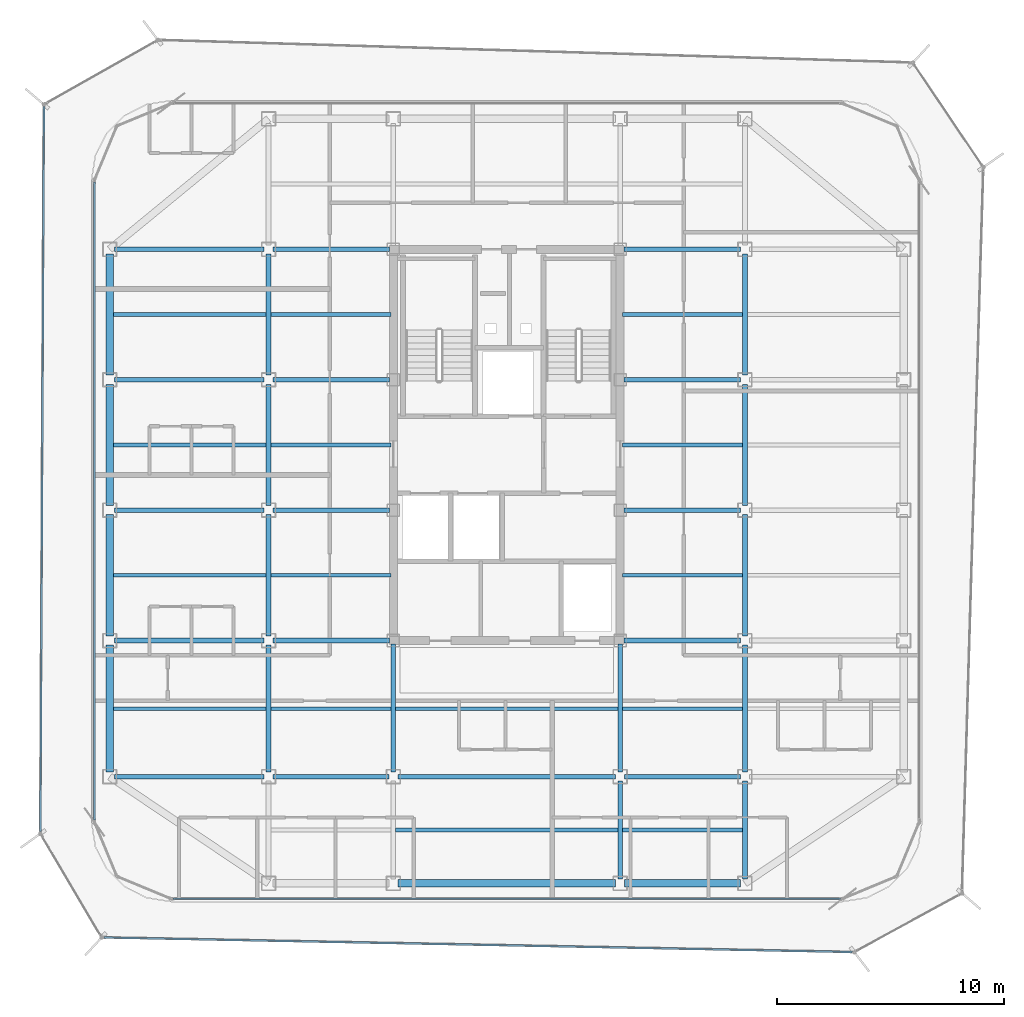
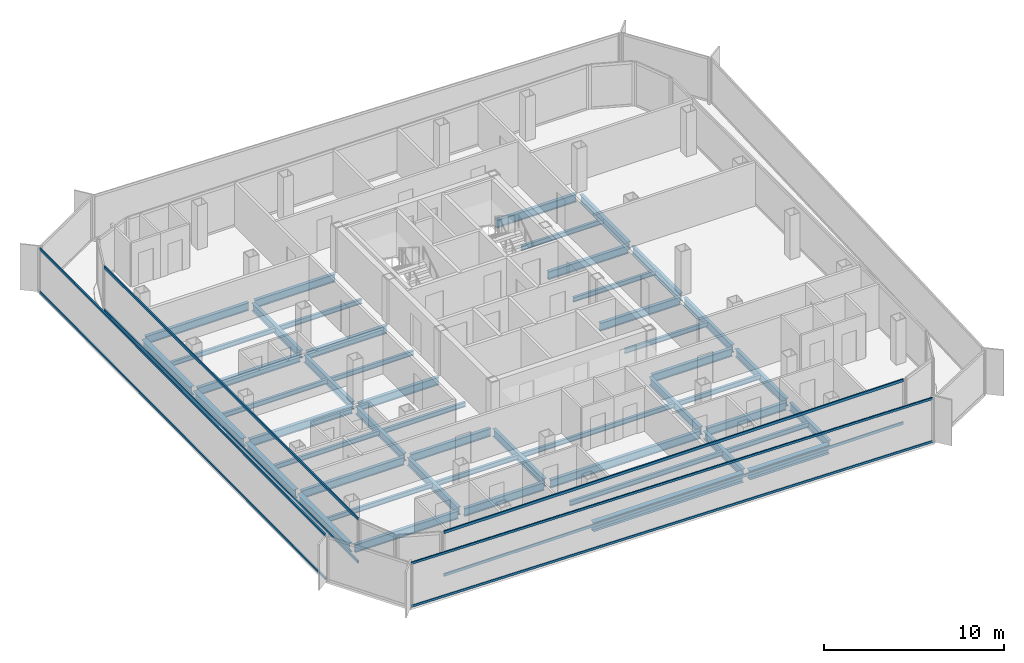
# One storey, part 3 of 15: 49 beams, 8 members, 4 elements without a shape of their own.
"""IFC4 building model written with IfcOpenShell, lengths in metres."""

from ifc_helpers import new_model, si_unit, direction, frame, origin, origin_2d, place, context, subcontext, project, spatial, hollow_rectangle, i_section, extrude, source, transform, mapped, material, layer, layer_set, material_profile, profile_set, type_object, element, aggregate, save


model = new_model("IFC4")

# Units and contexts
model_context = context("Model", 3, precision=1e-05, world=origin(), true_north=direction((0.0, 1.0)))
body_context = subcontext(model_context, "Body", "Model", "MODEL_VIEW")
ifc_project = project(units=[si_unit("LENGTHUNIT", "METRE"), si_unit("AREAUNIT", "SQUARE_METRE"), si_unit("VOLUMEUNIT", "CUBIC_METRE"), si_unit("PLANEANGLEUNIT", "RADIAN"), si_unit("MASSUNIT", "GRAM", prefix="KILO")], contexts=[model_context])

# Site, building, storey
site_placement = place(None, origin())
site = spatial("IfcSite", under=ifc_project, at=site_placement, CompositionType="ELEMENT")
building_placement = place(site_placement, origin())
building = spatial("IfcBuilding", under=site, at=building_placement, Name="Kolveth Station Tower", CompositionType="ELEMENT")
storey_placement = place(building_placement, frame((0.0, 0.0, 258.5)))
storey = spatial("IfcBuildingStorey", under=building, at=storey_placement, Name="L74", CompositionType="ELEMENT", Elevation=258.5)

# Beams
ifc_material_1 = material(Name="Steel S355", Category="steel")
ifc_material_profile_1 = material_profile(ifc_material_1, i_section(OverallWidth=0.323974609375, OverallDepth=0.611083984375, WebThickness=0.0126953125, FlangeThickness=0.01904296875, at=origin_2d()), Name="W610x155")
ifc_profile_set_1 = profile_set([ifc_material_profile_1], Name="Steel S355")
beam_type_1 = type_object("IfcBeamType", Name="Beam_SP2", PredefinedType="SPANDREL", material=ifc_profile_set_1)
shared_shape_1 = source(origin(), body_context, "Body", "SweptSolid", [
    extrude(i_section(OverallWidth=0.323974609375, OverallDepth=0.611083984375, WebThickness=0.0126953125, FlangeThickness=0.01904296875, at=origin_2d()), origin(), (0.0, 0.0, 1.0), 5.10009765625),
])
beam_1_placement = place(storey_placement, frame((28.699951171875, 0.800048828125, -0.525390625), z_axis=(1.0, 0.0, 0.0), x_axis=(0.0, 1.0, 0.0)))
element("IfcBeam", 1, at=beam_1_placement, inside=storey, type_object=beam_type_1, Name="L74 Perimeter Spandrel BM-L74-PS-3", PredefinedType="SPANDREL", context=body_context, shape_type="MappedRepresentation", body=[
    mapped(shared_shape_1, transform((0.0, 0.0, 0.0), x_axis=(1.0, 0.0, 0.0), y_axis=(0.0, 1.0, 0.0), z_axis=(0.0, 0.0, 1.0), scale=1.0)),
])
shared_shape_2 = source(origin(), body_context, "Body", "SweptSolid", [
    extrude(i_section(OverallWidth=0.323974609375, OverallDepth=0.611083984375, WebThickness=0.0126953125, FlangeThickness=0.01904296875, at=origin_2d()), origin(), (0.0, 0.0, 1.0), 9.60009765625),
])
beam_2_placement = place(storey_placement, frame((18.699951171875, 0.800048828125, -0.525390625), z_axis=(1.0, 0.0, 0.0), x_axis=(0.0, 1.0, 0.0)))
element("IfcBeam", 2, at=beam_2_placement, inside=storey, type_object=beam_type_1, Name="L74 Perimeter Spandrel BM-L74-PS-2", PredefinedType="SPANDREL", context=body_context, shape_type="MappedRepresentation", body=[
    mapped(shared_shape_2, transform((0.0, 0.0, 0.0), x_axis=(1.0, 0.0, 0.0), y_axis=(0.0, 1.0, 0.0), z_axis=(0.0, 0.0, 1.0), scale=1.0)),
])
shared_shape_3 = source(origin(), body_context, "Body", "SweptSolid", [
    extrude(i_section(OverallWidth=0.323974609375, OverallDepth=0.611083984375, WebThickness=0.0126953125, FlangeThickness=0.01904296875, at=origin_2d()), origin(), (0.0, 0.0, 1.0), 5.60009765625),
])
beam_3_placement = place(storey_placement, frame((6.0, 5.699951171875, -0.525390625), z_axis=(0.0, 1.0, 0.0), x_axis=(-1.0, 0.0, 0.0)))
element("IfcBeam", 3, at=beam_3_placement, inside=storey, type_object=beam_type_1, Name="L74 Perimeter Spandrel BM-L74-PW-1", PredefinedType="SPANDREL", context=body_context, shape_type="MappedRepresentation", body=[
    mapped(shared_shape_3, transform((0.0, 0.0, 0.0), x_axis=(1.0, 0.0, 0.0), y_axis=(0.0, 1.0, 0.0), z_axis=(0.0, 0.0, 1.0), scale=1.0)),
])
shared_shape_4 = source(origin(), body_context, "Body", "SweptSolid", [
    extrude(i_section(OverallWidth=0.323974609375, OverallDepth=0.611083984375, WebThickness=0.0126953125, FlangeThickness=0.01904296875, at=origin_2d()), origin(), (0.0, 0.0, 1.0), 5.35009765625),
])
for number, where, z_axis, x_axis, name in (
    (4, (6.0, 11.699951171875, -0.525390625), (0.0, 1.0, 0.0), (-1.0, 0.0, 0.0), "L74 Perimeter Spandrel BM-L74-PW-2"),
    (5, (6.0, 17.449951171875, -0.525390625), (0.0, 1.0, 0.0), (-1.0, 0.0, 0.0), "L74 Perimeter Spandrel BM-L74-PW-3"),
    (6, (6.0, 23.199951171875, -0.525390625), (0.0, 1.0, 0.0), (-1.0, 0.0, 0.0), "L74 Perimeter Spandrel BM-L74-PW-4"),
):
    element("IfcBeam", number, at=place(storey_placement, frame(where, z_axis=z_axis, x_axis=x_axis)), inside=storey, type_object=beam_type_1, Name=name, PredefinedType="SPANDREL", context=body_context, shape_type="MappedRepresentation", body=[
        mapped(shared_shape_4, transform((0.0, 0.0, 0.0), x_axis=(1.0, 0.0, 0.0), y_axis=(0.0, 1.0, 0.0), z_axis=(0.0, 0.0, 1.0), scale=1.0)),
    ])
ifc_material_profile_2 = material_profile(ifc_material_1, i_section(OverallWidth=0.2099609375, OverallDepth=0.537109375, WebThickness=0.010986328125, FlangeThickness=0.017333984375, at=origin_2d()), Name="W530x101")
ifc_profile_set_2 = profile_set([ifc_material_profile_2], Name="Steel S355")
beam_type_2 = type_object("IfcBeamType", Name="Beam_B6", PredefinedType="BEAM", material=ifc_profile_set_2)
shared_shape_5 = source(origin(), body_context, "Body", "SweptSolid", [
    extrude(i_section(OverallWidth=0.2099609375, OverallDepth=0.537109375, WebThickness=0.010986328125, FlangeThickness=0.017333984375, at=origin_2d()), origin(), (0.0, 0.0, 1.0), 6.60009765625),
])
for number, where, z_axis, x_axis, name in (
    (7, (6.199951171875, 5.5, -0.488525390625), (1.0, 0.0, 0.0), (0.0, 1.0, 0.0), "L74 Primary Girder BM-L74-GY55-1"),
    (8, (6.199951171875, 11.5, -0.488525390625), (1.0, 0.0, 0.0), (0.0, 1.0, 0.0), "L74 Primary Girder BM-L74-GY115-1"),
    (9, (6.199951171875, 17.25, -0.488525390625), (1.0, 0.0, 0.0), (0.0, 1.0, 0.0), "L74 Primary Girder BM-L74-GY172-1"),
    (10, (6.199951171875, 23.0, -0.488525390625), (1.0, 0.0, 0.0), (0.0, 1.0, 0.0), "L74 Primary Girder BM-L74-GY230-1"),
    (11, (6.199951171875, 28.75, -0.488525390625), (1.0, 0.0, 0.0), (0.0, 1.0, 0.0), "L74 Primary Girder BM-L74-GY287-1"),
):
    element("IfcBeam", number, at=place(storey_placement, frame(where, z_axis=z_axis, x_axis=x_axis)), inside=storey, type_object=beam_type_2, Name=name, PredefinedType="BEAM", context=body_context, shape_type="MappedRepresentation", body=[
        mapped(shared_shape_5, transform((0.0, 0.0, 0.0), x_axis=(1.0, 0.0, 0.0), y_axis=(0.0, 1.0, 0.0), z_axis=(0.0, 0.0, 1.0), scale=1.0)),
    ])
shared_shape_6 = source(origin(), body_context, "Body", "SweptSolid", [
    extrude(i_section(OverallWidth=0.2099609375, OverallDepth=0.537109375, WebThickness=0.010986328125, FlangeThickness=0.017333984375, at=origin_2d()), origin(), (0.0, 0.0, 1.0), 5.10009765625),
])
for number, where, z_axis, x_axis, name in (
    (12, (13.199951171875, 5.5, -0.488525390625), (1.0, 0.0, 0.0), (0.0, 1.0, 0.0), "L74 Primary Girder BM-L74-GY55-2"),
    (13, (28.699951171875, 5.5, -0.488525390625), (1.0, 0.0, 0.0), (0.0, 1.0, 0.0), "L74 Primary Girder BM-L74-GY55-4"),
):
    element("IfcBeam", number, at=place(storey_placement, frame(where, z_axis=z_axis, x_axis=x_axis)), inside=storey, type_object=beam_type_2, Name=name, PredefinedType="BEAM", context=body_context, shape_type="MappedRepresentation", body=[
        mapped(shared_shape_6, transform((0.0, 0.0, 0.0), x_axis=(1.0, 0.0, 0.0), y_axis=(0.0, 1.0, 0.0), z_axis=(0.0, 0.0, 1.0), scale=1.0)),
    ])
shared_shape_7 = source(origin(), body_context, "Body", "SweptSolid", [
    extrude(i_section(OverallWidth=0.2099609375, OverallDepth=0.537109375, WebThickness=0.010986328125, FlangeThickness=0.017333984375, at=origin_2d()), origin(), (0.0, 0.0, 1.0), 9.60009765625),
])
beam_4_placement = place(storey_placement, frame((18.699951171875, 5.5, -0.488525390625), z_axis=(1.0, 0.0, 0.0), x_axis=(0.0, 1.0, 0.0)))
element("IfcBeam", 14, at=beam_4_placement, inside=storey, type_object=beam_type_2, Name="L74 Primary Girder BM-L74-GY55-3", PredefinedType="BEAM", context=body_context, shape_type="MappedRepresentation", body=[
    mapped(shared_shape_7, transform((0.0, 0.0, 0.0), x_axis=(1.0, 0.0, 0.0), y_axis=(0.0, 1.0, 0.0), z_axis=(0.0, 0.0, 1.0), scale=1.0)),
])
shared_shape_8 = source(origin(), body_context, "Body", "SweptSolid", [
    extrude(i_section(OverallWidth=0.2099609375, OverallDepth=0.537109375, WebThickness=0.010986328125, FlangeThickness=0.017333984375, at=origin_2d()), origin(), (0.0, 0.0, 1.0), 5.14013671875),
])
for number, where, z_axis, x_axis, name in (
    (15, (13.199951171875, 11.5, -0.488525390625), (1.0, 0.0, 0.0), (0.0, 1.0, 0.0), "L74 Primary Girder BM-L74-GY115-2"),
    (16, (28.659912109375, 11.5, -0.488525390625), (1.0, 0.0, 0.0), (0.0, 1.0, 0.0), "L74 Primary Girder BM-L74-GY115-4"),
    (17, (13.199951171875, 17.25, -0.488525390625), (1.0, 0.0, 0.0), (0.0, 1.0, 0.0), "L74 Primary Girder BM-L74-GY172-2"),
    (18, (28.659912109375, 17.25, -0.488525390625), (1.0, 0.0, 0.0), (0.0, 1.0, 0.0), "L74 Primary Girder BM-L74-GY172-4"),
    (19, (13.199951171875, 23.0, -0.488525390625), (1.0, 0.0, 0.0), (0.0, 1.0, 0.0), "L74 Primary Girder BM-L74-GY230-2"),
    (20, (28.659912109375, 23.0, -0.488525390625), (1.0, 0.0, 0.0), (0.0, 1.0, 0.0), "L74 Primary Girder BM-L74-GY230-4"),
    (21, (13.199951171875, 28.75, -0.488525390625), (1.0, 0.0, 0.0), (0.0, 1.0, 0.0), "L74 Primary Girder BM-L74-GY287-2"),
    (22, (28.659912109375, 28.75, -0.488525390625), (1.0, 0.0, 0.0), (0.0, 1.0, 0.0), "L74 Primary Girder BM-L74-GY287-4"),
):
    element("IfcBeam", number, at=place(storey_placement, frame(where, z_axis=z_axis, x_axis=x_axis)), inside=storey, type_object=beam_type_2, Name=name, PredefinedType="BEAM", context=body_context, shape_type="MappedRepresentation", body=[
        mapped(shared_shape_8, transform((0.0, 0.0, 0.0), x_axis=(1.0, 0.0, 0.0), y_axis=(0.0, 1.0, 0.0), z_axis=(0.0, 0.0, 1.0), scale=1.0)),
    ])
shared_shape_9 = source(origin(), body_context, "Body", "SweptSolid", [
    extrude(i_section(OverallWidth=0.2099609375, OverallDepth=0.537109375, WebThickness=0.010986328125, FlangeThickness=0.017333984375, at=origin_2d()), origin(), (0.0, 0.0, 1.0), 4.300048828125),
])
for number, where, z_axis, x_axis, name in (
    (23, (28.5, 1.0, -0.488525390625), (0.0, 1.0, 0.0), (-1.0, 0.0, 0.0), "L74 Primary Girder BM-L74-GX285-1"),
    (24, (34.0, 1.0, -0.488525390625), (0.0, 1.0, 0.0), (-1.0, 0.0, 0.0), "L74 Primary Girder BM-L74-GX340-1"),
):
    element("IfcBeam", number, at=place(storey_placement, frame(where, z_axis=z_axis, x_axis=x_axis)), inside=storey, type_object=beam_type_2, Name=name, PredefinedType="BEAM", context=body_context, shape_type="MappedRepresentation", body=[
        mapped(shared_shape_9, transform((0.0, 0.0, 0.0), x_axis=(1.0, 0.0, 0.0), y_axis=(0.0, 1.0, 0.0), z_axis=(0.0, 0.0, 1.0), scale=1.0)),
    ])
shared_shape_10 = source(origin(), body_context, "Body", "SweptSolid", [
    extrude(i_section(OverallWidth=0.2099609375, OverallDepth=0.537109375, WebThickness=0.010986328125, FlangeThickness=0.017333984375, at=origin_2d()), origin(), (0.0, 0.0, 1.0), 5.60009765625),
])
for number, where, z_axis, x_axis, name in (
    (25, (13.0, 5.699951171875, -0.488525390625), (0.0, 1.0, 0.0), (-1.0, 0.0, 0.0), "L74 Primary Girder BM-L74-GX130-2"),
    (26, (34.0, 5.699951171875, -0.488525390625), (0.0, 1.0, 0.0), (-1.0, 0.0, 0.0), "L74 Primary Girder BM-L74-GX340-2"),
):
    element("IfcBeam", number, at=place(storey_placement, frame(where, z_axis=z_axis, x_axis=x_axis)), inside=storey, type_object=beam_type_2, Name=name, PredefinedType="BEAM", context=body_context, shape_type="MappedRepresentation", body=[
        mapped(shared_shape_10, transform((0.0, 0.0, 0.0), x_axis=(1.0, 0.0, 0.0), y_axis=(0.0, 1.0, 0.0), z_axis=(0.0, 0.0, 1.0), scale=1.0)),
    ])
shared_shape_11 = source(origin(), body_context, "Body", "SweptSolid", [
    extrude(i_section(OverallWidth=0.2099609375, OverallDepth=0.537109375, WebThickness=0.010986328125, FlangeThickness=0.017333984375, at=origin_2d()), origin(), (0.0, 0.0, 1.0), 5.35009765625),
])
for number, where, z_axis, x_axis, name in (
    (27, (13.0, 11.699951171875, -0.488525390625), (0.0, 1.0, 0.0), (-1.0, 0.0, 0.0), "L74 Primary Girder BM-L74-GX130-3"),
    (28, (13.0, 17.449951171875, -0.488525390625), (0.0, 1.0, 0.0), (-1.0, 0.0, 0.0), "L74 Primary Girder BM-L74-GX130-4"),
    (29, (13.0, 23.199951171875, -0.488525390625), (0.0, 1.0, 0.0), (-1.0, 0.0, 0.0), "L74 Primary Girder BM-L74-GX130-5"),
    (30, (34.0, 11.699951171875, -0.488525390625), (0.0, 1.0, 0.0), (-1.0, 0.0, 0.0), "L74 Primary Girder BM-L74-GX340-3"),
    (31, (34.0, 17.449951171875, -0.488525390625), (0.0, 1.0, 0.0), (-1.0, 0.0, 0.0), "L74 Primary Girder BM-L74-GX340-4"),
    (32, (34.0, 23.199951171875, -0.488525390625), (0.0, 1.0, 0.0), (-1.0, 0.0, 0.0), "L74 Primary Girder BM-L74-GX340-5"),
):
    element("IfcBeam", number, at=place(storey_placement, frame(where, z_axis=z_axis, x_axis=x_axis)), inside=storey, type_object=beam_type_2, Name=name, PredefinedType="BEAM", context=body_context, shape_type="MappedRepresentation", body=[
        mapped(shared_shape_11, transform((0.0, 0.0, 0.0), x_axis=(1.0, 0.0, 0.0), y_axis=(0.0, 1.0, 0.0), z_axis=(0.0, 0.0, 1.0), scale=1.0)),
    ])
shared_shape_12 = source(origin(), body_context, "Body", "SweptSolid", [
    extrude(i_section(OverallWidth=0.2099609375, OverallDepth=0.537109375, WebThickness=0.010986328125, FlangeThickness=0.017333984375, at=origin_2d()), origin(), (0.0, 0.0, 1.0), 5.64013671875),
])
for number, where, z_axis, x_axis, name in (
    (33, (18.5, 5.699951171875, -0.488525390625), (0.0, 1.0, 0.0), (-1.0, 0.0, 0.0), "L74 Primary Girder BM-L74-GX185-2"),
    (34, (28.5, 5.699951171875, -0.488525390625), (0.0, 1.0, 0.0), (-1.0, 0.0, 0.0), "L74 Primary Girder BM-L74-GX285-2"),
):
    element("IfcBeam", number, at=place(storey_placement, frame(where, z_axis=z_axis, x_axis=x_axis)), inside=storey, type_object=beam_type_2, Name=name, PredefinedType="BEAM", context=body_context, shape_type="MappedRepresentation", body=[
        mapped(shared_shape_12, transform((0.0, 0.0, 0.0), x_axis=(1.0, 0.0, 0.0), y_axis=(0.0, 1.0, 0.0), z_axis=(0.0, 0.0, 1.0), scale=1.0)),
    ])
ifc_material_profile_3 = material_profile(ifc_material_1, i_section(OverallWidth=0.1650390625, OverallDepth=0.31005859375, WebThickness=0.005859375, FlangeThickness=0.009765625, at=origin_2d()), Name="W310x39")
ifc_profile_set_3 = profile_set([ifc_material_profile_3], Name="Steel S355")
beam_type_3 = type_object("IfcBeamType", Name="Beam_J3", PredefinedType="JOIST", material=ifc_profile_set_3)
shared_shape_13 = source(origin(), body_context, "Body", "SweptSolid", [
    extrude(i_section(OverallWidth=0.1650390625, OverallDepth=0.31005859375, WebThickness=0.005859375, FlangeThickness=0.009765625, at=origin_2d()), origin(), (0.0, 0.0, 1.0), 6.737060546875),
])
for number, where, z_axis, x_axis, name in (
    (35, (6.159912109375, 8.5, -0.375), (1.0, 0.0, 0.0), (0.0, 1.0, 0.0), "L74 Secondary Joist JST-L74-1-2"),
    (36, (6.159912109375, 14.375, -0.375), (1.0, 0.0, 0.0), (0.0, 1.0, 0.0), "L74 Secondary Joist JST-L74-1-3"),
    (37, (6.159912109375, 20.125, -0.375), (1.0, 0.0, 0.0), (0.0, 1.0, 0.0), "L74 Secondary Joist JST-L74-1-4"),
    (38, (6.159912109375, 25.875, -0.375), (1.0, 0.0, 0.0), (0.0, 1.0, 0.0), "L74 Secondary Joist JST-L74-1-5"),
):
    element("IfcBeam", number, at=place(storey_placement, frame(where, z_axis=z_axis, x_axis=x_axis)), inside=storey, type_object=beam_type_3, Name=name, PredefinedType="JOIST", context=body_context, shape_type="MappedRepresentation", body=[
        mapped(shared_shape_13, transform((0.0, 0.0, 0.0), x_axis=(1.0, 0.0, 0.0), y_axis=(0.0, 1.0, 0.0), z_axis=(0.0, 0.0, 1.0), scale=1.0)),
    ])
shared_shape_14 = source(origin(), body_context, "Body", "SweptSolid", [
    extrude(i_section(OverallWidth=0.1650390625, OverallDepth=0.31005859375, WebThickness=0.005859375, FlangeThickness=0.009765625, at=origin_2d()), origin(), (0.0, 0.0, 1.0), 5.2939453125),
])
for number, where, z_axis, x_axis, name in (
    (39, (13.10302734375, 8.5, -0.375), (1.0, 0.0, 0.0), (0.0, 1.0, 0.0), "L74 Secondary Joist JST-L74-2-2"),
    (40, (13.10302734375, 14.375, -0.375), (1.0, 0.0, 0.0), (0.0, 1.0, 0.0), "L74 Secondary Joist JST-L74-2-3"),
    (41, (13.10302734375, 20.125, -0.375), (1.0, 0.0, 0.0), (0.0, 1.0, 0.0), "L74 Secondary Joist JST-L74-2-4"),
    (42, (13.10302734375, 25.875, -0.375), (1.0, 0.0, 0.0), (0.0, 1.0, 0.0), "L74 Secondary Joist JST-L74-2-5"),
    (43, (28.60302734375, 3.14990234375, -0.375), (1.0, 0.0, 0.0), (0.0, 1.0, 0.0), "L74 Secondary Joist JST-L74-4-1"),
    (44, (28.60302734375, 8.5, -0.375), (1.0, 0.0, 0.0), (0.0, 1.0, 0.0), "L74 Secondary Joist JST-L74-4-2"),
    (45, (28.60302734375, 14.375, -0.375), (1.0, 0.0, 0.0), (0.0, 1.0, 0.0), "L74 Secondary Joist JST-L74-4-3"),
    (46, (28.60302734375, 20.125, -0.375), (1.0, 0.0, 0.0), (0.0, 1.0, 0.0), "L74 Secondary Joist JST-L74-4-4"),
    (47, (28.60302734375, 25.875, -0.375), (1.0, 0.0, 0.0), (0.0, 1.0, 0.0), "L74 Secondary Joist JST-L74-4-5"),
):
    element("IfcBeam", number, at=place(storey_placement, frame(where, z_axis=z_axis, x_axis=x_axis)), inside=storey, type_object=beam_type_3, Name=name, PredefinedType="JOIST", context=body_context, shape_type="MappedRepresentation", body=[
        mapped(shared_shape_14, transform((0.0, 0.0, 0.0), x_axis=(1.0, 0.0, 0.0), y_axis=(0.0, 1.0, 0.0), z_axis=(0.0, 0.0, 1.0), scale=1.0)),
    ])
shared_shape_15 = source(origin(), body_context, "Body", "SweptSolid", [
    extrude(i_section(OverallWidth=0.1650390625, OverallDepth=0.31005859375, WebThickness=0.005859375, FlangeThickness=0.009765625, at=origin_2d()), origin(), (0.0, 0.0, 1.0), 9.7939453125),
])
for number, where, z_axis, x_axis, name in (
    (48, (18.60302734375, 3.14990234375, -0.375), (1.0, 0.0, 0.0), (0.0, 1.0, 0.0), "L74 Secondary Joist JST-L74-3-1"),
    (49, (18.60302734375, 8.5, -0.375), (1.0, 0.0, 0.0), (0.0, 1.0, 0.0), "L74 Secondary Joist JST-L74-3-2"),
):
    element("IfcBeam", number, at=place(storey_placement, frame(where, z_axis=z_axis, x_axis=x_axis)), inside=storey, type_object=beam_type_3, Name=name, PredefinedType="JOIST", context=body_context, shape_type="MappedRepresentation", body=[
        mapped(shared_shape_15, transform((0.0, 0.0, 0.0), x_axis=(1.0, 0.0, 0.0), y_axis=(0.0, 1.0, 0.0), z_axis=(0.0, 0.0, 1.0), scale=1.0)),
    ])

# Curtain wall, members
ifc_material_2 = material(Name="Aluminium 6063-T6 and triple low-E dark glass", Category="aluminium")
ifc_layer_1 = layer(ifc_material_2, 0.199951171875)
ifc_layer_set_1 = layer_set([ifc_layer_1], Name="Aluminium 6063-T6 and triple low-E dark glass")
curtain_wall_type_1 = type_object("IfcCurtainWallType", Name="CurtainWall_CW-Z3", PredefinedType="NOTDEFINED", material=ifc_layer_set_1)
curtain_wall_1_placement = place(storey_placement, origin())
curtain_wall_1 = element("IfcCurtainWall", 50, at=curtain_wall_1_placement, inside=storey, type_object=curtain_wall_type_1, Name="L74 Inner Thermal Curtain Wall 9", PredefinedType="NOTDEFINED")
ifc_material_3 = material(Name="Black anodized aluminium 6063-T6", Category="aluminium")
ifc_material_profile_4 = material_profile(ifc_material_3, hollow_rectangle(XDim=0.0849609375, YDim=0.179931640625, WallThickness=0.0048828125, at=origin_2d()), Name="ALU-85x180x5")
ifc_profile_set_4 = profile_set([ifc_material_profile_4], Name="Black anodized aluminium 6063-T6")
member_type_1 = type_object("IfcMemberType", Name="Transom_TR3", PredefinedType="USERDEFINED", material=ifc_profile_set_4)
shared_shape_16 = source(origin(), body_context, "Body", "SweptSolid", [
    extrude(hollow_rectangle(XDim=0.0849609375, YDim=0.179931640625, WallThickness=0.0048828125, at=origin_2d()), origin(), (0.0, 0.0, 1.0), 28.130126953125),
])
member_1_placement = place(storey_placement, frame((5.320068359375, 31.715087890625, 0.04248046875), z_axis=(0.0, -1.0, 0.0), x_axis=(1.0, 0.0, 0.0)))
member_1 = element("IfcMember", 51, at=member_1_placement, type_object=member_type_1, Name="CW-Z3 transom 1.1", ObjectType="TRANSOM", PredefinedType="USERDEFINED", context=body_context, shape_type="MappedRepresentation", body=[
    mapped(shared_shape_16, transform((0.0, 0.0, 0.0), x_axis=(1.0, 0.0, 0.0), y_axis=(0.0, 1.0, 0.0), z_axis=(0.0, 0.0, 1.0), scale=1.0)),
])
member_2_placement = place(storey_placement, frame((5.320068359375, 31.715087890625, 2.9375), z_axis=(0.0, -1.0, 0.0), x_axis=(1.0, 0.0, 0.0)))
member_2 = element("IfcMember", 52, at=member_2_placement, type_object=member_type_1, Name="CW-Z3 transom 1.2", ObjectType="TRANSOM", PredefinedType="USERDEFINED", context=body_context, shape_type="MappedRepresentation", body=[
    mapped(shared_shape_16, transform((0.0, 0.0, 0.0), x_axis=(1.0, 0.0, 0.0), y_axis=(0.0, 1.0, 0.0), z_axis=(0.0, 0.0, 1.0), scale=1.0)),
])
aggregate(curtain_wall_1, [member_1, member_2])

curtain_wall_2_placement = place(storey_placement, origin())
curtain_wall_2 = element("IfcCurtainWall", 53, at=curtain_wall_2_placement, inside=storey, type_object=curtain_wall_type_1, Name="L74 Inner Thermal Curtain Wall 12", PredefinedType="NOTDEFINED")
shared_shape_17 = source(origin(), body_context, "Body", "SweptSolid", [
    extrude(hollow_rectangle(XDim=0.0849609375, YDim=0.179931640625, WallThickness=0.0048828125, at=origin_2d()), origin(), (0.0, 0.0, 1.0), 29.43017578125),
])
member_3_placement = place(storey_placement, frame((8.784912109375, 0.1201171875, 0.04248046875), z_axis=(1.0, 0.0, 0.0), x_axis=(0.0, 1.0, 0.0)))
member_3 = element("IfcMember", 54, at=member_3_placement, type_object=member_type_1, Name="CW-Z3 transom 1.1", ObjectType="TRANSOM", PredefinedType="USERDEFINED", context=body_context, shape_type="MappedRepresentation", body=[
    mapped(shared_shape_17, transform((0.0, 0.0, 0.0), x_axis=(1.0, 0.0, 0.0), y_axis=(0.0, 1.0, 0.0), z_axis=(0.0, 0.0, 1.0), scale=1.0)),
])
member_4_placement = place(storey_placement, frame((8.784912109375, 0.1201171875, 2.9375), z_axis=(1.0, 0.0, 0.0), x_axis=(0.0, 1.0, 0.0)))
member_4 = element("IfcMember", 55, at=member_4_placement, type_object=member_type_1, Name="CW-Z3 transom 1.2", ObjectType="TRANSOM", PredefinedType="USERDEFINED", context=body_context, shape_type="MappedRepresentation", body=[
    mapped(shared_shape_17, transform((0.0, 0.0, 0.0), x_axis=(1.0, 0.0, 0.0), y_axis=(0.0, 1.0, 0.0), z_axis=(0.0, 0.0, 1.0), scale=1.0)),
])
aggregate(curtain_wall_2, [member_3, member_4])

ifc_material_4 = material(Name="Black anodized aluminium 6063-T6 and dark solar glass", Category="aluminium")
ifc_layer_2 = layer(ifc_material_4, 0.159912109375)
ifc_layer_set_2 = layer_set([ifc_layer_2], Name="Black anodized aluminium 6063-T6 and dark solar glass")
curtain_wall_type_2 = type_object("IfcCurtainWallType", Name="OUTER SKIN CW-OS", PredefinedType="NOTDEFINED", material=ifc_layer_set_2)
curtain_wall_3_placement = place(storey_placement, origin())
curtain_wall_3 = element("IfcCurtainWall", 56, at=curtain_wall_3_placement, inside=storey, type_object=curtain_wall_type_2, Name="L74 Outer Ventilated Skin Curtain Wall 6", PredefinedType="NOTDEFINED")
ifc_material_profile_5 = material_profile(ifc_material_3, hollow_rectangle(XDim=0.080078125, YDim=0.14990234375, WallThickness=0.0048828125, at=origin_2d()), Name="ALU-80x150x5")
ifc_profile_set_5 = profile_set([ifc_material_profile_5], Name="Black anodized aluminium 6063-T6")
member_type_2 = type_object("IfcMemberType", Name="Transom_TR-OS", PredefinedType="USERDEFINED", material=ifc_profile_set_5)
shared_shape_18 = source(origin(), body_context, "Body", "SweptSolid", [
    extrude(hollow_rectangle(XDim=0.080078125, YDim=0.14990234375, WallThickness=0.0048828125, at=origin_2d()), origin(), (0.0, 0.0, 1.0), 31.9599609375),
])
member_5_placement = place(storey_placement, frame((3.098388671875, 35.039306640625, 0.0400390625), z_axis=(-0.004835474307, -0.999988309026, 0.0), x_axis=(0.999988309026, -0.004835474307, 0.0)))
member_5 = element("IfcMember", 57, at=member_5_placement, type_object=member_type_2, Name="CW-OS transom 1.1", ObjectType="TRANSOM", PredefinedType="USERDEFINED", context=body_context, shape_type="MappedRepresentation", body=[
    mapped(shared_shape_18, transform((0.0, 0.0, 0.0), x_axis=(1.0, 0.0, 0.0), y_axis=(0.0, 1.0, 0.0), z_axis=(0.0, 0.0, 1.0), scale=1.0)),
])
member_6_placement = place(storey_placement, frame((3.098388671875, 35.039306640625, 2.949951171875), z_axis=(-0.004835474307, -0.999988309026, 0.0), x_axis=(0.999988309026, -0.004835474307, 0.0)))
member_6 = element("IfcMember", 58, at=member_6_placement, type_object=member_type_2, Name="CW-OS transom 1.2", ObjectType="TRANSOM", PredefinedType="USERDEFINED", context=body_context, shape_type="MappedRepresentation", body=[
    mapped(shared_shape_18, transform((0.0, 0.0, 0.0), x_axis=(1.0, 0.0, 0.0), y_axis=(0.0, 1.0, 0.0), z_axis=(0.0, 0.0, 1.0), scale=1.0)),
])
aggregate(curtain_wall_3, [member_5, member_6])

curtain_wall_4_placement = place(storey_placement, origin())
curtain_wall_4 = element("IfcCurtainWall", 59, at=curtain_wall_4_placement, inside=storey, type_object=curtain_wall_type_2, Name="L74 Outer Ventilated Skin Curtain Wall 8", PredefinedType="NOTDEFINED")
shared_shape_19 = source(origin(), body_context, "Body", "SweptSolid", [
    extrude(hollow_rectangle(XDim=0.080078125, YDim=0.14990234375, WallThickness=0.0048828125, at=origin_2d()), origin(), (0.0, 0.0, 1.0), 33.0009765625),
])
member_7_placement = place(storey_placement, frame((5.7373046875, -1.589111328125, 0.0400390625), z_axis=(0.999810555552, -0.019464146713, 0.0), x_axis=(0.019464146713, 0.999810555552, 0.0)))
member_7 = element("IfcMember", 60, at=member_7_placement, type_object=member_type_2, Name="CW-OS transom 1.1", ObjectType="TRANSOM", PredefinedType="USERDEFINED", context=body_context, shape_type="MappedRepresentation", body=[
    mapped(shared_shape_19, transform((0.0, 0.0, 0.0), x_axis=(1.0, 0.0, 0.0), y_axis=(0.0, 1.0, 0.0), z_axis=(0.0, 0.0, 1.0), scale=1.0)),
])
member_8_placement = place(storey_placement, frame((5.7373046875, -1.589111328125, 2.949951171875), z_axis=(0.999810555552, -0.019464146713, 0.0), x_axis=(0.019464146713, 0.999810555552, 0.0)))
member_8 = element("IfcMember", 61, at=member_8_placement, type_object=member_type_2, Name="CW-OS transom 1.2", ObjectType="TRANSOM", PredefinedType="USERDEFINED", context=body_context, shape_type="MappedRepresentation", body=[
    mapped(shared_shape_19, transform((0.0, 0.0, 0.0), x_axis=(1.0, 0.0, 0.0), y_axis=(0.0, 1.0, 0.0), z_axis=(0.0, 0.0, 1.0), scale=1.0)),
])
aggregate(curtain_wall_4, [member_7, member_8])

save(model, "model.ifc")
